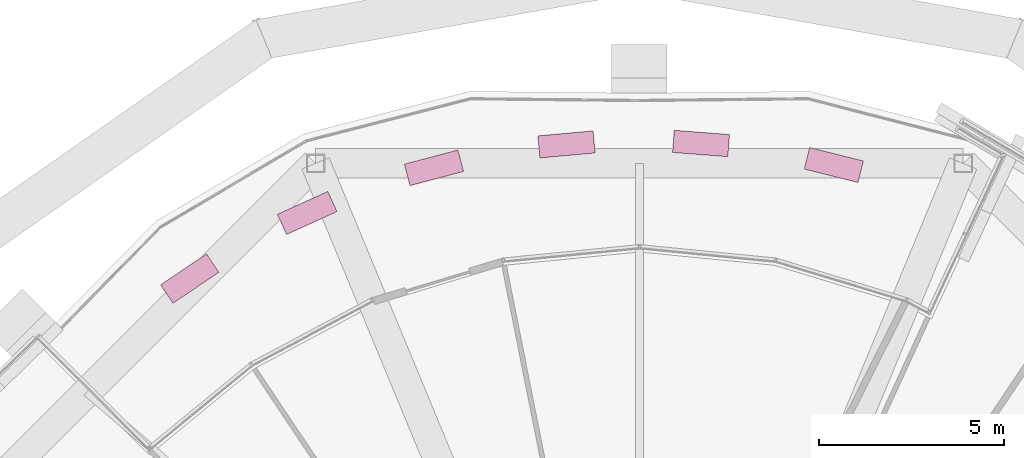
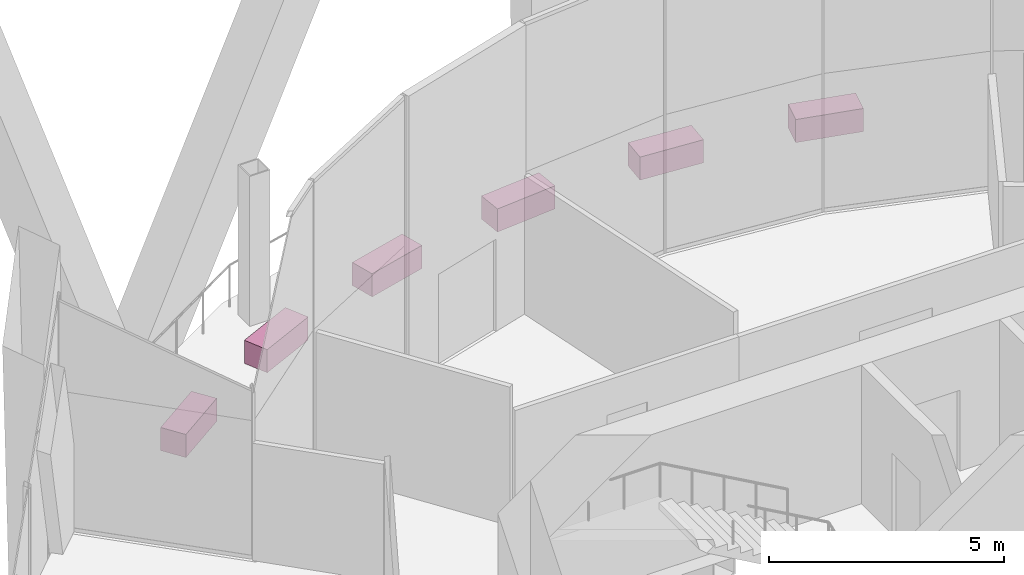
# One storey, part 31 of 31: 6 furniture elements.
"""IFC4 building model written with IfcOpenShell, lengths in metres."""

from ifc_helpers import new_model, si_unit, direction, frame, origin, origin_2d, place, context, subcontext, project, spatial, rectangle, extrude, material, type_object, element, save


model = new_model("IFC4")

# Units and contexts
model_context = context("Model", 3, precision=1e-05, world=origin(), true_north=direction((0.0, 1.0)))
body_context = subcontext(model_context, "Body", "Model", "MODEL_VIEW")
ifc_project = project(units=[si_unit("LENGTHUNIT", "METRE"), si_unit("AREAUNIT", "SQUARE_METRE"), si_unit("VOLUMEUNIT", "CUBIC_METRE"), si_unit("PLANEANGLEUNIT", "RADIAN"), si_unit("MASSUNIT", "GRAM", prefix="KILO")], contexts=[model_context])

# Site, building, storey
site_placement = place(None, origin())
site = spatial("IfcSite", under=ifc_project, at=site_placement, CompositionType="ELEMENT")
building_placement = place(site_placement, origin())
building = spatial("IfcBuilding", under=site, at=building_placement, Name="Ogive Gate Towers", CompositionType="ELEMENT")
storey_placement = place(building_placement, frame((0.0, 0.0, 55.800048828125)))
storey = spatial("IfcBuildingStorey", under=building, at=storey_placement, Name="L12", CompositionType="ELEMENT", Elevation=55.800048828125)

# Furniture
ifc_material = material(Name="Precast concrete C40/50", Category="concrete")
furniture_type = type_object("IfcFurnitureType", Name="Planter 1500 x 600", AssemblyPlace="NOTDEFINED", PredefinedType="USERDEFINED", material=ifc_material)
for number, where, z_axis, x_axis, name in (
    (1, (-30.73583984375, 21.113525390625, 0.0), (0.0, 0.0, 1.0), (-0.970295726276, 0.2419218956, 0.0), "Planter"),
    (2, (-34.33056640625, 21.69580078125, 0.0), (0.0, 0.0, 1.0), (-0.997052752227, 0.076719028127, 0.0), "Planter"),
    (3, (-37.97216796875, 21.67041015625, 0.0), (0.0, 0.0, 1.0), (-0.995884398616, -0.090632580198, 0.0), "Planter"),
    (4, (-41.55859375, 21.0380859375, 0.0), (0.0, 0.0, 1.0), (-0.966823388604, -0.255445757936, 0.0), "Planter"),
    (5, (-44.9892578125, 19.81640625, 0.0), (0.0, 0.0, 1.0), (-0.910683660806, -0.413104429825, 0.0), "Planter"),
    (6, (-48.16796875, 18.039794921875, 0.0), (0.0, 0.0, 1.0), (-0.829037572555, -0.559192903471, 0.0), "Planter"),
):
    element("IfcFurniture", number, at=place(storey_placement, frame(where, z_axis=z_axis, x_axis=x_axis)), inside=storey, type_object=furniture_type, Name=name, ObjectType="PLANTER", PredefinedType="USERDEFINED", context=body_context, shape_type="SweptSolid", body=[
        extrude(rectangle(XDim=1.5, YDim=0.60009765625, at=origin_2d()), origin(), (0.0, 0.0, 1.0), 0.60009765625),
    ])

save(model, "model.ifc")
